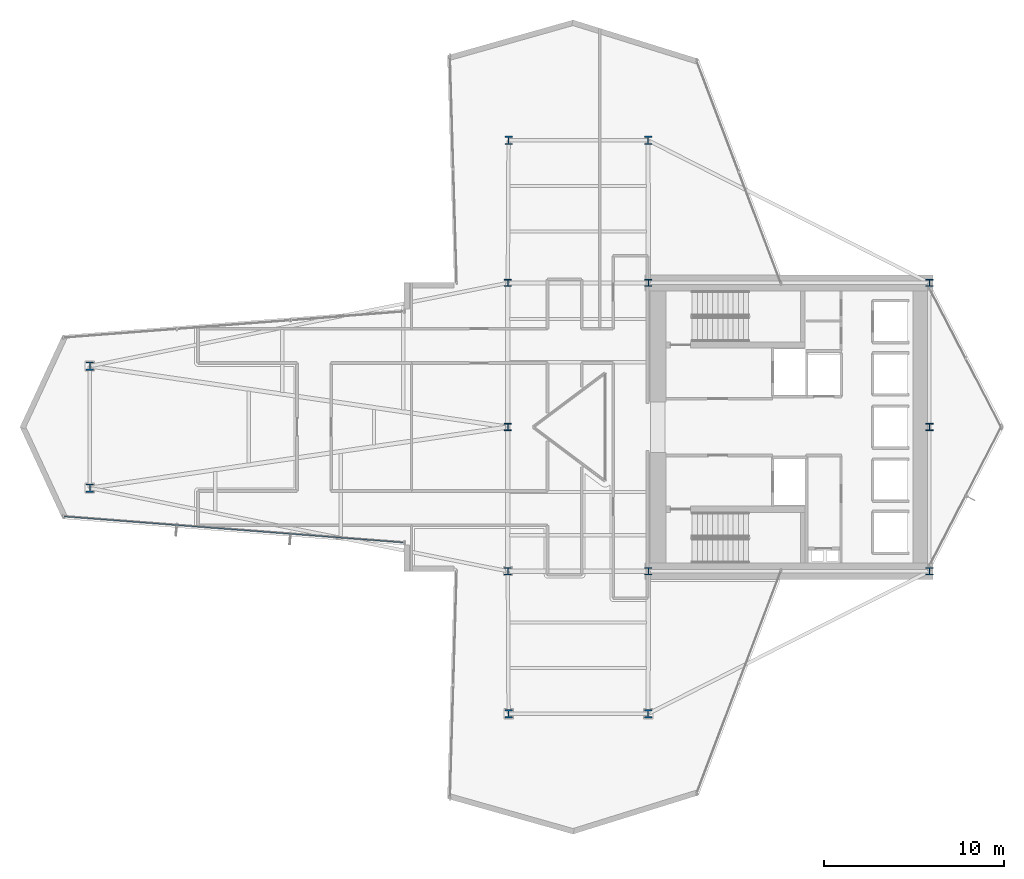
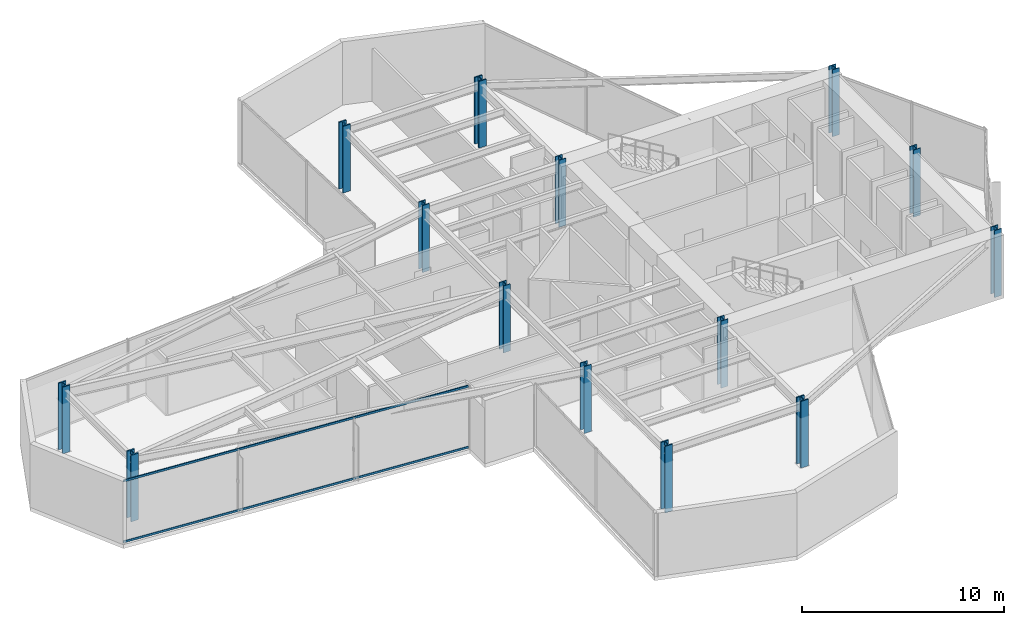
# One storey, part 1 of 30: 14 columns, 2 members, 1 element without a shape of its own.
"""IFC4 building model written with IfcOpenShell, lengths in metres."""

import ifcopenshell
import ifcopenshell.guid

model = None  # the IFC model being written
_history = None  # IfcOwnerHistory: only IFC2X3 demands one
_inside = {}  # id of a spatial element -> (the spatial element, [elements in it])
_under = {}  # id of a project, library or spatial element -> (it, [spatial elements below it])
_declared = {}  # id of a project -> (the project, [libraries it declares])
_typed = {}  # id of a type object -> (the type object, [elements of that type])
_made_of = {}  # id of a material, layer set ... -> (it, [elements and type objects made of it])


def new_model(schema):
    """Start an empty IFC model of exactly this schema.

    Asked for "IFC4X3", IfcOpenShell would pick the latest addendum, in which some entities
    have other attributes; the version numbers below select the first issue.
    IFC2X3 requires an IfcOwnerHistory on every rooted entity: one is made here for all.
    """
    global model, _history
    if schema == "IFC4X3":
        model = ifcopenshell.file(schema_version=(4, 3, 0, 0))
    else:
        model = ifcopenshell.file(schema=schema)
    _inside.clear()
    _under.clear()
    _declared.clear()
    _typed.clear()
    _made_of.clear()
    _history = None
    if model.schema == "IFC2X3":
        org = make("IfcOrganization", Name="unknown")
        user = make(
            "IfcPersonAndOrganization",
            ThePerson=make("IfcPerson", FamilyName="unknown"),
            TheOrganization=org,
        )
        app = make(
            "IfcApplication",
            ApplicationDeveloper=org,
            Version="unknown",
            ApplicationFullName="unknown",
            ApplicationIdentifier="unknown",
        )
        _history = make(
            "IfcOwnerHistory",
            OwningUser=user,
            OwningApplication=app,
            ChangeAction="ADDED",
            CreationDate=0,
        )
    return model


def make(cls, **values):
    """One entity of the class cls with the attributes given. An attribute that is None is left unset."""
    return model.create_entity(
        cls, **{name: value for name, value in values.items() if value is not None}
    )


def rooted(cls, **values):
    """An entity with a GlobalId (a new one), such as an element, a storey or a relation."""
    return make(cls, GlobalId=ifcopenshell.guid.new(), OwnerHistory=_history, **values)


def si_unit(unit_type, name, prefix=None):
    """IfcSIUnit, for example si_unit("LENGTHUNIT", "METRE", prefix="MILLI")."""
    return make("IfcSIUnit", UnitType=unit_type, Prefix=prefix, Name=name)


def assignment(units):
    """IfcUnitAssignment: the units of a project."""
    return None if units is None else make("IfcUnitAssignment", Units=units)


def point(xyz):
    """IfcCartesianPoint."""
    return None if xyz is None else make("IfcCartesianPoint", Coordinates=xyz)


def direction(xyz):
    """IfcDirection."""
    return None if xyz is None else make("IfcDirection", DirectionRatios=xyz)


def frame(location, z_axis=None, x_axis=None):
    """IfcAxis2Placement3D, a coordinate frame: its origin and axes. An axis left out is left unset."""
    return make(
        "IfcAxis2Placement3D",
        Location=point(location),
        Axis=direction(z_axis),
        RefDirection=direction(x_axis),
    )


def frame_2d(location, x_axis=None):
    """IfcAxis2Placement2D, a coordinate frame in the plane: its origin and x axis."""
    return make(
        "IfcAxis2Placement2D", Location=point(location), RefDirection=direction(x_axis)
    )


def origin():
    """The frame at (0, 0, 0) with its axes left unset."""
    return frame((0.0, 0.0, 0.0))


def origin_2d():
    """The frame at (0, 0) in the plane with its x axis left unset."""
    return frame_2d((0.0, 0.0))


def place(relative_to, where):
    """IfcLocalPlacement: puts the frame where relative to a parent placement (None: the world)."""
    return make(
        "IfcLocalPlacement", PlacementRelTo=relative_to, RelativePlacement=where
    )


def context(
    kind, dimensions, precision=None, world=None, true_north=None, identifier=None
):
    """IfcGeometricRepresentationContext, for example the 3D "Model" context."""
    return make(
        "IfcGeometricRepresentationContext",
        ContextIdentifier=identifier,
        ContextType=kind,
        CoordinateSpaceDimension=dimensions,
        Precision=precision,
        WorldCoordinateSystem=world,
        TrueNorth=true_north,
    )


def subcontext(parent, identifier, kind, view, scale=None):
    """IfcGeometricRepresentationSubContext, for example "Body" below "Model"."""
    return make(
        "IfcGeometricRepresentationSubContext",
        ContextIdentifier=identifier,
        ContextType=kind,
        ParentContext=parent,
        TargetScale=scale,
        TargetView=view,
    )


def project(units=None, contexts=None):
    """IfcProject with its units and contexts."""
    return rooted(
        "IfcProject",
        Name="project",
        RepresentationContexts=contexts,
        UnitsInContext=assignment(units),
    )


def spatial(cls, under=None, at=None, **own):
    """A site, building, storey or space (cls), placed at a placement, below another one or the project."""
    s = rooted(cls, ObjectPlacement=at, **own)
    if under is not None:
        _under.setdefault(under.id(), (under, []))[1].append(s)
    return s


def profile(cls, at=None, kind="AREA", **sizes):
    """A parametric profile (cls). Its sizes go by their IFC names, for example OverallWidth=200.0."""
    return make(cls, ProfileType=kind, Position=at, **sizes)


def hollow_rectangle(**sizes):
    """IfcRectangleHollowProfileDef."""
    return profile("IfcRectangleHollowProfileDef", **sizes)


def i_section(**sizes):
    """IfcIShapeProfileDef."""
    return profile("IfcIShapeProfileDef", **sizes)


def extrude(swept, where, along, depth):
    """IfcExtrudedAreaSolid: the profile swept, set in the frame where, extruded along a direction by depth."""
    return make(
        "IfcExtrudedAreaSolid",
        SweptArea=swept,
        Position=where,
        ExtrudedDirection=direction(along),
        Depth=depth,
    )


def shape(context_of_items, identifier, shape_type, items):
    """IfcShapeRepresentation: the items that make up one representation, for example the "Body"."""
    return make(
        "IfcShapeRepresentation",
        ContextOfItems=context_of_items,
        RepresentationIdentifier=identifier,
        RepresentationType=shape_type,
        Items=items,
    )


def material(Name=None, Category=None):
    """IfcMaterial."""
    return make("IfcMaterial", Name=Name, Category=Category)


def layer(
    of_material, thickness, ventilated=None, Name=None, Category=None, Priority=None
):
    """IfcMaterialLayer: one layer of a wall or slab, of a material (None: an air gap)."""
    return make(
        "IfcMaterialLayer",
        Material=of_material,
        LayerThickness=thickness,
        IsVentilated=ventilated,
        Name=Name,
        Category=Category,
        Priority=Priority,
    )


def layer_set(layers, Name=None):
    """IfcMaterialLayerSet."""
    return make("IfcMaterialLayerSet", MaterialLayers=layers, LayerSetName=Name)


def material_profile(
    of_material, cross_section, Name=None, Category=None, Priority=None
):
    """IfcMaterialProfile: a cross section and its material."""
    return make(
        "IfcMaterialProfile",
        Name=Name,
        Material=of_material,
        Profile=cross_section,
        Priority=Priority,
        Category=Category,
    )


def profile_set(profiles, Name=None, composite=None):
    """IfcMaterialProfileSet."""
    return make(
        "IfcMaterialProfileSet",
        Name=Name,
        MaterialProfiles=profiles,
        CompositeProfile=composite,
    )


def made_of(thing, what):
    """Note that an element or type object is made of a material, layer set ...; save() writes the relation."""
    if what is not None:
        _made_of.setdefault(what.id(), (what, []))[1].append(thing)
    return thing


def type_object(cls, material=None, **own):
    """A type object (cls), such as IfcWallType, which elements share."""
    return made_of(rooted(cls, **own), material)


def element(
    cls,
    number,
    at=None,
    inside=None,
    cuts=None,
    type_object=None,
    material=None,
    context=None,
    identifier="Body",
    shape_type=None,
    held_by="IfcProductDefinitionShape",
    body=None,
    shapes=None,
    **own,
):
    """One element of the class cls, such as IfcWall. Its Tag is "e" and its number.

    at: its placement. inside: the storey or other place that contains it. cuts: it is an
    opening in that element (IfcRelVoidsElement). A single representation is given by context,
    identifier, shape_type and body (its items); several are given by shapes. held_by: the class
    of the entity that holds the representations. save() writes the other relations.
    """
    e = rooted(cls, Tag="e%d" % number, ObjectPlacement=at, **own)
    if body is not None:
        shapes = [shape(context, identifier, shape_type, body)]
    if shapes is not None:
        e.Representation = make(held_by, Representations=shapes)
    if inside is not None:
        _inside.setdefault(inside.id(), (inside, []))[1].append(e)
    if cuts is not None:
        rooted(
            "IfcRelVoidsElement", RelatingBuildingElement=cuts, RelatedOpeningElement=e
        )
    if type_object is not None:
        _typed.setdefault(type_object.id(), (type_object, []))[1].append(e)
    return made_of(e, material)


def aggregate(whole, parts):
    """IfcRelAggregates: a whole, such as a stair, and the parts it consists of."""
    return rooted("IfcRelAggregates", RelatingObject=whole, RelatedObjects=parts)


def save(model, path):
    """Write the relations noted so far, then the file.

    IfcRelAggregates (storeys below a building ...), IfcRelContainedInSpatialStructure (elements
    in a storey), IfcRelDefinesByType, IfcRelAssociatesMaterial and IfcRelDeclares: one each for
    every whole, place, type object, material and project.
    """
    for whole, parts in _under.values():
        aggregate(whole, parts)
    for where, things in _inside.values():
        rooted(
            "IfcRelContainedInSpatialStructure",
            RelatedElements=things,
            RelatingStructure=where,
        )
    for kind, things in _typed.values():
        rooted("IfcRelDefinesByType", RelatedObjects=things, RelatingType=kind)
    for what, things in _made_of.values():
        rooted("IfcRelAssociatesMaterial", RelatedObjects=things, RelatingMaterial=what)
    for by, libraries in _declared.values():
        rooted("IfcRelDeclares", RelatingContext=by, RelatedDefinitions=libraries)
    model.write(path)


model = new_model("IFC4")

# Units and contexts
model_context = context("Model", 3, precision=1e-05, world=origin(), true_north=direction((0.0, 1.0)))
body_context = subcontext(model_context, "Body", "Model", "MODEL_VIEW")
ifc_project = project(units=[si_unit("LENGTHUNIT", "METRE"), si_unit("AREAUNIT", "SQUARE_METRE"), si_unit("VOLUMEUNIT", "CUBIC_METRE"), si_unit("PLANEANGLEUNIT", "RADIAN"), si_unit("MASSUNIT", "GRAM", prefix="KILO")], contexts=[model_context])

# Site, building, storey
site_placement = place(None, origin())
site = spatial("IfcSite", under=ifc_project, at=site_placement, CompositionType="ELEMENT")
building_placement = place(site_placement, origin())
building = spatial("IfcBuilding", under=site, at=building_placement, Name="Veymaron Broadcast Tower", CompositionType="ELEMENT")
storey_placement = place(building_placement, frame((0.0, 0.0, 37.800048828125)))
storey = spatial("IfcBuildingStorey", under=building, at=storey_placement, Name="L07", CompositionType="ELEMENT", Elevation=37.800048828125)

# Columns
ifc_material_1 = material(Name="Structural steel ASTM A913 Gr 65", Category="steel")
ifc_material_profile_1 = material_profile(ifc_material_1, i_section(OverallWidth=0.40087890625, OverallDepth=0.39892578125, WebThickness=0.02490234375, FlangeThickness=0.03955078125, at=origin_2d()), Name="W360X314")
ifc_profile_set_1 = profile_set([ifc_material_profile_1], Name="Structural steel ASTM A913 Gr 65")
column_type_1 = type_object("IfcColumnType", Name="COL-HC1", PredefinedType="COLUMN", material=ifc_profile_set_1)
for number, where, z_axis, x_axis, name in (
    (1, (31.199951171875, 16.0, 0.0), (0.0, 0.0, 1.0), (1.0, 0.0, 0.0), "L07 structural hub and core column"),
    (2, (31.199951171875, 24.0, 0.0), (0.0, 0.0, 1.0), (1.0, 0.0, 0.0), "L07 structural hub and core column"),
    (3, (31.199951171875, 32.0, 0.0), (0.0, 0.0, 1.0), (1.0, 0.0, 0.0), "L07 structural hub and core column"),
    (4, (39.0, 16.0, 0.0), (0.0, 0.0, 1.0), (1.0, 0.0, 0.0), "L07 structural hub and core column"),
    (5, (39.0, 32.0, 0.0), (0.0, 0.0, 1.0), (1.0, 0.0, 0.0), "L07 structural hub and core column"),
    (6, (54.60009765625, 16.0, 0.0), (0.0, 0.0, 1.0), (1.0, 0.0, 0.0), "L07 structural hub and core column"),
    (7, (54.60009765625, 24.0, 0.0), (0.0, 0.0, 1.0), (1.0, 0.0, 0.0), "L07 structural hub and core column"),
    (8, (54.60009765625, 32.0, 0.0), (0.0, 0.0, 1.0), (1.0, 0.0, 0.0), "L07 structural hub and core column"),
):
    element("IfcColumn", number, at=place(storey_placement, frame(where, z_axis=z_axis, x_axis=x_axis)), inside=storey, type_object=column_type_1, Name=name, PredefinedType="COLUMN", context=body_context, shape_type="SweptSolid", body=[
        extrude(i_section(OverallWidth=0.40087890625, OverallDepth=0.39892578125, WebThickness=0.02490234375, FlangeThickness=0.03955078125, at=origin_2d()), origin(), (0.0, 0.0, 1.0), 4.0439453125),
    ])
ifc_material_profile_2 = material_profile(ifc_material_1, i_section(OverallWidth=0.424072265625, OverallDepth=0.47412109375, WebThickness=0.047607421875, FlangeThickness=0.076904296875, at=origin_2d()), Name="W360X634")
ifc_profile_set_2 = profile_set([ifc_material_profile_2], Name="Structural steel ASTM A913 Gr 65")
column_type_2 = type_object("IfcColumnType", Name="COL-MC1", PredefinedType="COLUMN", material=ifc_profile_set_2)
for number, where, z_axis, x_axis, name in (
    (9, (8.007080078125, 20.614990234375, 0.015869140625), (0.0, 0.0, 1.0), (1.0, 0.0, 0.0), "L07 Tapered Wing Mega Column"),
    (10, (8.007080078125, 27.385009765625, 0.015869140625), (0.0, 0.0, 1.0), (1.0, 0.0, 0.0), "L07 Tapered Wing Mega Column"),
    (11, (31.241943359375, 39.909912109375, 0.015869140625), (0.0, 0.0, 1.0), (1.0, 0.0, 0.0), "L07 Tapered Wing Mega Column"),
    (12, (38.985107421875, 39.909912109375, 0.015869140625), (0.0, 0.0, 1.0), (1.0, 0.0, 0.0), "L07 Tapered Wing Mega Column"),
    (13, (31.241943359375, 8.090087890625, 0.015869140625), (0.0, 0.0, 1.0), (1.0, 0.0, 0.0), "L07 Tapered Wing Mega Column"),
    (14, (38.985107421875, 8.090087890625, 0.015869140625), (0.0, 0.0, 1.0), (1.0, 0.0, 0.0), "L07 Tapered Wing Mega Column"),
):
    element("IfcColumn", number, at=place(storey_placement, frame(where, z_axis=z_axis, x_axis=x_axis)), inside=storey, type_object=column_type_2, Name=name, PredefinedType="COLUMN", context=body_context, shape_type="SweptSolid", body=[
        extrude(i_section(OverallWidth=0.424072265625, OverallDepth=0.47412109375, WebThickness=0.047607421875, FlangeThickness=0.076904296875, at=origin_2d()), origin(), (0.0, 0.0, 1.0), 4.01806640625),
    ])

# Curtain wall, members
ifc_material_2 = material(Name="Anodised aluminium AA 6063-T6 and laminated low-E dark glass", Category="aluminium")
ifc_layer = layer(ifc_material_2, 0.179931640625)
ifc_layer_set = layer_set([ifc_layer], Name="Anodised aluminium AA 6063-T6 and laminated low-E dark glass")
curtain_wall_type = type_object("IfcCurtainWallType", Name="CW-SYS-02", PredefinedType="NOTDEFINED", material=ifc_layer_set)
curtain_wall_placement = place(storey_placement, origin())
curtain_wall = element("IfcCurtainWall", 15, at=curtain_wall_placement, inside=storey, type_object=curtain_wall_type, Name="L07 dark-glass curtain wall CW-L07-E14-1", PredefinedType="NOTDEFINED")
ifc_material_3 = material(Name="Anodised aluminium AA 6063-T6", Category="aluminium")
ifc_material_profile_3 = material_profile(ifc_material_3, hollow_rectangle(XDim=0.06005859375, YDim=0.1201171875, WallThickness=0.00390625, at=origin_2d()), Name="AL120X60X4")
ifc_profile_set_3 = profile_set([ifc_material_profile_3], Name="Anodised aluminium AA 6063-T6")
member_type = type_object("IfcMemberType", Name="CW-TRN-02", PredefinedType="USERDEFINED", material=ifc_profile_set_3)
member_1_placement = place(storey_placement, frame((6.560546875, 19.039794921875, 0.070068359375), z_axis=(0.997061015336, -0.076611563729, 0.0), x_axis=(0.076611563729, 0.997061015336, 0.0)))
member_1 = element("IfcMember", 16, at=member_1_placement, type_object=member_type, Name="CW-L07-E14-1 transom B", ObjectType="TRANSOM", PredefinedType="USERDEFINED", context=body_context, shape_type="SweptSolid", body=[
    extrude(hollow_rectangle(XDim=0.06005859375, YDim=0.1201171875, WallThickness=0.00390625, at=origin_2d()), origin(), (0.0, 0.0, 1.0), 18.90380859375),
])
member_2_placement = place(storey_placement, frame((6.560546875, 19.039794921875, 3.739990234375), z_axis=(0.997061015336, -0.076611563729, 0.0), x_axis=(0.076611563729, 0.997061015336, 0.0)))
member_2 = element("IfcMember", 17, at=member_2_placement, type_object=member_type, Name="CW-L07-E14-1 transom T", ObjectType="TRANSOM", PredefinedType="USERDEFINED", context=body_context, shape_type="SweptSolid", body=[
    extrude(hollow_rectangle(XDim=0.06005859375, YDim=0.1201171875, WallThickness=0.00390625, at=origin_2d()), origin(), (0.0, 0.0, 1.0), 18.90380859375),
])
aggregate(curtain_wall, [member_1, member_2])

save(model, "model.ifc")
